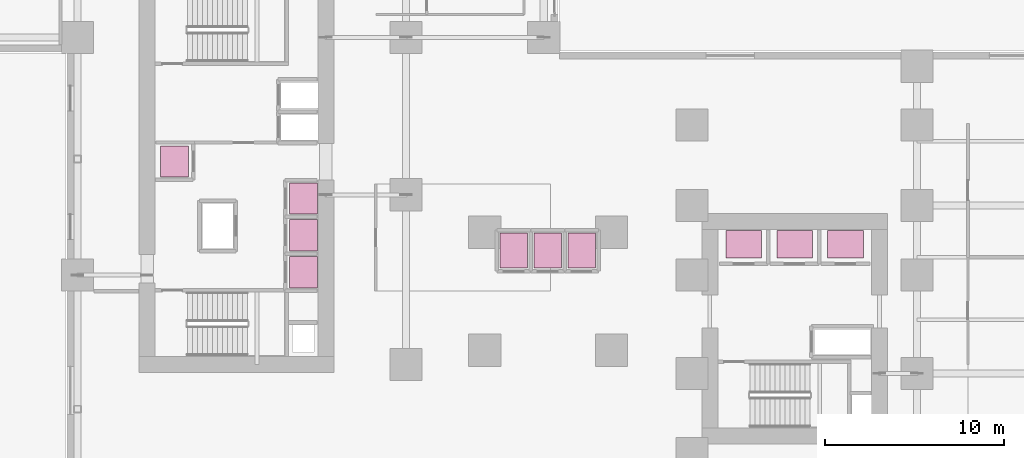
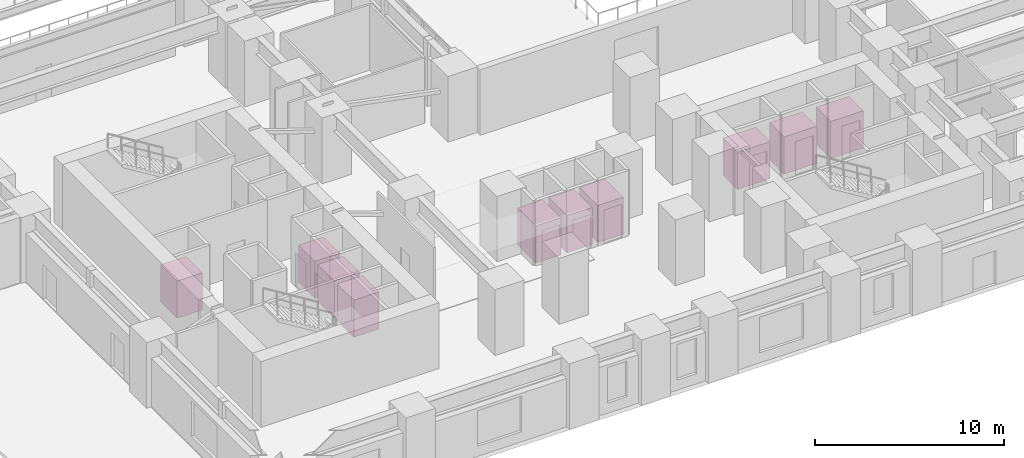
# One storey, part 23 of 23: 10 transport elements.
"""IFC4 building model written with IfcOpenShell, lengths in metres."""

from ifc_helpers import new_model, si_unit, direction, frame, origin, origin_2d, place, context, subcontext, project, spatial, rectangle, extrude, source, transform, mapped, material, type_object, element, save


model = new_model("IFC4")

# Units and contexts
model_context = context("Model", 3, precision=1e-05, world=origin(), true_north=direction((0.0, 1.0)))
body_context = subcontext(model_context, "Body", "Model", "MODEL_VIEW")
ifc_project = project(units=[si_unit("LENGTHUNIT", "METRE"), si_unit("AREAUNIT", "SQUARE_METRE"), si_unit("VOLUMEUNIT", "CUBIC_METRE"), si_unit("PLANEANGLEUNIT", "RADIAN"), si_unit("MASSUNIT", "GRAM", prefix="KILO")], contexts=[model_context])

# Site, building, storey
site_placement = place(None, origin())
site = spatial("IfcSite", under=ifc_project, at=site_placement, CompositionType="ELEMENT")
building_placement = place(site_placement, origin())
building = spatial("IfcBuilding", under=site, at=building_placement, Name="Kharzan Plaza Tower", CompositionType="ELEMENT")
storey_placement = place(building_placement, origin())
storey = spatial("IfcBuildingStorey", under=building, at=storey_placement, Name="L00", CompositionType="ELEMENT", Elevation=0.0)

# Transport elements
ifc_material = material(Name="Stainless Steel Cab Assembly", Category="steel")
transport_element_type_1 = type_object("IfcTransportElementType", Name="LFT-PASS-HR", PredefinedType="ELEVATOR", material=ifc_material)
shared_shape_1 = source(origin(), body_context, "Body", "SweptSolid", [
    extrude(rectangle(XDim=1.550048828125, YDim=1.75, at=origin_2d()), origin(), (0.0, 0.0, 1.0), 2.39990234375),
])
for number, where, z_axis, x_axis, name in (
    (1, (13.25, 13.6650390625, 0.0), (0.0, 0.0, 1.0), (1.0, 0.0, 0.0), "High-Rise Passenger Lift PL-H1 (L00-L74)"),
    (2, (13.25, 15.735107421875, 0.0), (0.0, 0.0, 1.0), (1.0, 0.0, 0.0), "High-Rise Passenger Lift PL-H2 (L00-L74)"),
    (3, (13.25, 17.794921875, 0.0), (0.0, 0.0, 1.0), (1.0, 0.0, 0.0), "High-Rise Passenger Lift PL-H3 (L00-L74)"),
    (4, (6.02490234375, 19.8701171875, 0.0), (0.0, 0.0, 1.0), (1.0, 0.0, 0.0), "High-Rise Passenger Lift PL-H4 (L00-L74)"),
):
    element("IfcTransportElement", number, at=place(storey_placement, frame(where, z_axis=z_axis, x_axis=x_axis)), inside=storey, type_object=transport_element_type_1, Name=name, PredefinedType="ELEVATOR", context=body_context, shape_type="MappedRepresentation", body=[
        mapped(shared_shape_1, transform((0.0, 0.0, 0.0), x_axis=(1.0, 0.0, 0.0), y_axis=(0.0, 1.0, 0.0), z_axis=(0.0, 0.0, 1.0))),
    ])
transport_element_type_2 = type_object("IfcTransportElementType", Name="LFT-PASS-LR", PredefinedType="ELEVATOR", material=ifc_material)
shared_shape_2 = source(origin(), body_context, "Body", "SweptSolid", [
    extrude(rectangle(XDim=2.0, YDim=1.550048828125, at=origin_2d()), origin(), (0.0, 0.0, 1.0), 2.39990234375),
])
for number, where, z_axis, x_axis, name in (
    (5, (37.89990234375, 15.22509765625, 0.0), (0.0, 0.0, 1.0), (1.0, 0.0, 0.0), "Low-Rise Passenger Lift PL-L1 (L00-L20)"),
    (6, (40.75, 15.22509765625, 0.0), (0.0, 0.0, 1.0), (1.0, 0.0, 0.0), "Low-Rise Passenger Lift PL-L2 (L00-L20)"),
    (7, (43.60009765625, 15.22509765625, 0.0), (0.0, 0.0, 1.0), (1.0, 0.0, 0.0), "Low-Rise Passenger Lift PL-L3 (L00-L20)"),
):
    element("IfcTransportElement", number, at=place(storey_placement, frame(where, z_axis=z_axis, x_axis=x_axis)), inside=storey, type_object=transport_element_type_2, Name=name, PredefinedType="ELEVATOR", context=body_context, shape_type="MappedRepresentation", body=[
        mapped(shared_shape_2, transform((0.0, 0.0, 0.0), x_axis=(1.0, 0.0, 0.0), y_axis=(0.0, 1.0, 0.0), z_axis=(0.0, 0.0, 1.0))),
    ])
transport_element_type_3 = type_object("IfcTransportElementType", Name="LFT-PASS-MR", PredefinedType="ELEVATOR", material=ifc_material)
shared_shape_3 = source(origin(), body_context, "Body", "SweptSolid", [
    extrude(rectangle(XDim=1.550048828125, YDim=1.949951171875, at=origin_2d()), origin(), (0.0, 0.0, 1.0), 2.39990234375),
])
for number, where, z_axis, x_axis, name in (
    (8, (25.02490234375, 14.875, 0.0), (0.0, 0.0, 1.0), (1.0, 0.0, 0.0), "Mid-Rise Passenger Lift PL-M1 (L00-L56)"),
    (9, (26.925048828125, 14.875, 0.0), (0.0, 0.0, 1.0), (1.0, 0.0, 0.0), "Mid-Rise Passenger Lift PL-M2 (L00-L56)"),
    (10, (28.824951171875, 14.875, 0.0), (0.0, 0.0, 1.0), (1.0, 0.0, 0.0), "Mid-Rise Passenger Lift PL-M3 (L00-L56)"),
):
    element("IfcTransportElement", number, at=place(storey_placement, frame(where, z_axis=z_axis, x_axis=x_axis)), inside=storey, type_object=transport_element_type_3, Name=name, PredefinedType="ELEVATOR", context=body_context, shape_type="MappedRepresentation", body=[
        mapped(shared_shape_3, transform((0.0, 0.0, 0.0), x_axis=(1.0, 0.0, 0.0), y_axis=(0.0, 1.0, 0.0), z_axis=(0.0, 0.0, 1.0))),
    ])

save(model, "model.ifc")
